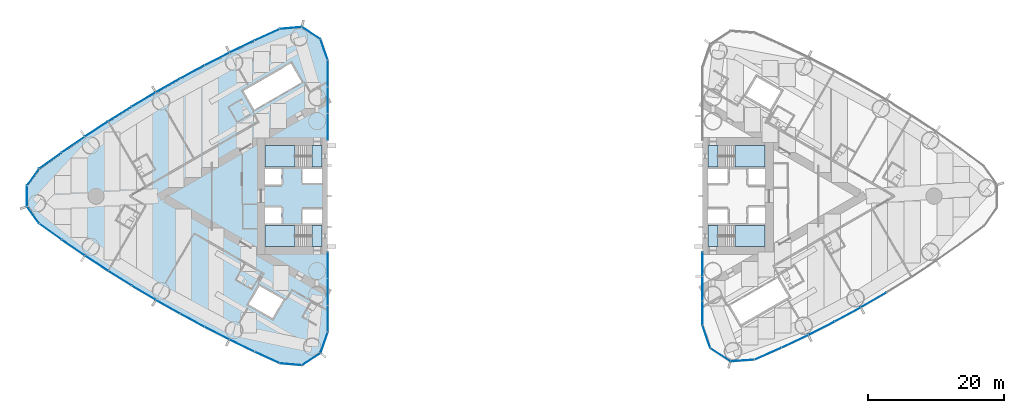
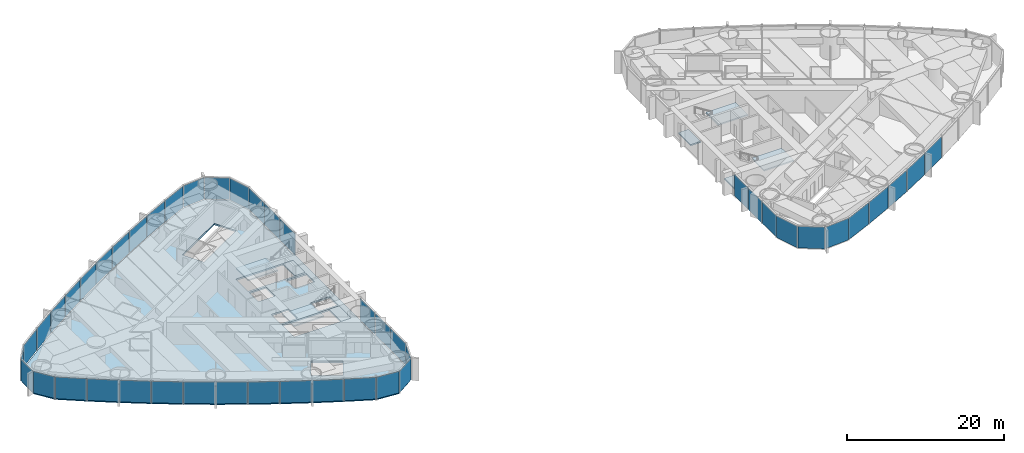
# One storey, part 9 of 19: 46 plates, 9 slabs, 6 elements without a shape of their own.
"""IFC4 building model written with IfcOpenShell, lengths in metres."""

from ifc_helpers import new_model, si_unit, direction, frame, origin, origin_2d, place, context, subcontext, project, spatial, polyline, rectangle, outline, extrude, material, layer, layer_set, type_object, element, aggregate, save


model = new_model("IFC4")

# Units and contexts
model_context = context("Model", 3, precision=1e-05, world=origin(), true_north=direction((0.0, 1.0)))
body_context = subcontext(model_context, "Body", "Model", "MODEL_VIEW")
ifc_project = project(units=[si_unit("LENGTHUNIT", "METRE"), si_unit("AREAUNIT", "SQUARE_METRE"), si_unit("VOLUMEUNIT", "CUBIC_METRE"), si_unit("PLANEANGLEUNIT", "RADIAN"), si_unit("MASSUNIT", "GRAM", prefix="KILO")], contexts=[model_context])

# Site, building, storey
site_placement = place(None, origin())
site = spatial("IfcSite", under=ifc_project, at=site_placement, CompositionType="ELEMENT")
building_placement = place(site_placement, origin())
building = spatial("IfcBuilding", under=site, at=building_placement, Name="Lancet Gate Hotel", CompositionType="ELEMENT")
storey_placement = place(building_placement, frame((0.0, 0.0, 132.60009765625)))
storey = spatial("IfcBuildingStorey", under=building, at=storey_placement, Name="L35", CompositionType="ELEMENT", Elevation=132.60009765625)

# Slab
ifc_material_1 = material(Name="Concrete C50/60", Category="concrete")
ifc_layer_1 = layer(ifc_material_1, 0.25)
ifc_layer_set_1 = layer_set([ifc_layer_1], Name="Floor slab 250")
slab_type_1 = type_object("IfcSlabType", Name="Floor slab 250", PredefinedType="FLOOR", material=ifc_layer_set_1)
slab_1_placement = place(storey_placement, frame((0.0, 0.0, -0.25)))
element("IfcSlab", 1, at=slab_1_placement, inside=storey, type_object=slab_type_1, Name="T1 L35 floor slab", PredefinedType="FLOOR", context=body_context, shape_type="SweptSolid", body=[
    extrude(outline(polyline([(-27.5, 8.60009765625), (-27.6201171875, 8.60009765625), (-27.6201171875, 19.950927734375), (-28.65966796875, 22.970947265625), (-31.320068359375, 24.69921875), (-34.5009765625, 24.421630859375), (-38.201416015625, 22.727783203125), (-41.8818359375, 20.946044921875), (-45.523193359375, 19.085693359375), (-49.12353515625, 17.147216796875), (-52.681396484375, 15.131591796875), (-56.195068359375, 13.0400390625), (-59.662841796875, 10.873291015625), (-63.0830078125, 8.63232421875), (-66.454345703125, 6.318115234375), (-69.76025390625, 3.94287109375), (-71.523193359375, 1.49755859375), (-71.523193359375, -1.49755859375), (-69.76025390625, -3.94287109375), (-66.454345703125, -6.318115234375), (-63.0830078125, -8.63232421875), (-59.662841796875, -10.873291015625), (-56.195068359375, -13.0400390625), (-52.681396484375, -15.131591796875), (-49.12353515625, -17.147216796875), (-45.523193359375, -19.085693359375), (-41.8818359375, -20.946044921875), (-38.201416015625, -22.727783203125), (-34.5009765625, -24.421630859375), (-31.320068359375, -24.69921875), (-28.65966796875, -22.970947265625), (-27.6201171875, -19.950927734375), (-27.6201171875, -8.60009765625), (-27.5, -8.60009765625), (-27.5, -8.199951171875), (-27.5, 8.199951171875), (-27.5, 8.60009765625)]), holes=[polyline([(-36.699951171875, 7.39990234375), (-36.699951171875, 4.300048828125), (-28.300048828125, 4.300048828125), (-28.300048828125, 7.39990234375), (-36.699951171875, 7.39990234375)]), polyline([(-28.300048828125, 4.0), (-31.199951171875, 4.0), (-31.199951171875, 1.89990234375), (-28.300048828125, 1.89990234375), (-28.300048828125, 4.0)]), polyline([(-34.25, 4.0), (-36.699951171875, 4.0), (-36.699951171875, 1.64990234375), (-34.25, 1.64990234375), (-34.25, 4.0)]), polyline([(-36.699951171875, -1.64990234375), (-36.699951171875, -4.0), (-34.25, -4.0), (-34.25, -1.64990234375), (-36.699951171875, -1.64990234375)]), polyline([(-28.300048828125, -1.89990234375), (-31.199951171875, -1.89990234375), (-31.199951171875, -4.0), (-28.300048828125, -4.0), (-28.300048828125, -1.89990234375)]), polyline([(-28.300048828125, -4.300048828125), (-36.699951171875, -4.300048828125), (-36.699951171875, -7.39990234375), (-28.300048828125, -7.39990234375), (-28.300048828125, -4.300048828125)]), polyline([(-31.2900390625, 16.73095703125), (-32.889892578125, 19.501953125), (-39.904052734375, 15.451904296875), (-38.303955078125, 12.680908203125), (-31.2900390625, 16.73095703125)]), polyline([(-33.97412109375, -15.180908203125), (-37.52490234375, -13.131103515625), (-39.125, -15.902099609375), (-35.573974609375, -17.951904296875), (-33.97412109375, -15.180908203125)])]), origin(), (0.0, 0.0, 1.0), 0.25),
])

# Stair, slabs
ifc_material_2 = material(Name="Exit stair 20 risers 1500")
stair_type = type_object("IfcStairType", Name="Exit stair 20 risers 1500", PredefinedType="HALF_TURN_STAIR", material=ifc_material_2)
stair_1_placement = place(storey_placement, origin())
stair_1 = element("IfcStair", 2, at=stair_1_placement, inside=storey, type_object=stair_type, Name="T1 stair 1 L35", PredefinedType="HALF_TURN_STAIR")
ifc_material_3 = material(Name="Concrete C40/50", Category="concrete")
ifc_layer_2 = layer(ifc_material_3, 0.199951171875)
ifc_layer_set_2 = layer_set([ifc_layer_2], Name="Stair landing 200")
slab_type_2 = type_object("IfcSlabType", Name="Stair landing 200", PredefinedType="LANDING", material=ifc_layer_set_2)
slab_2_placement = place(storey_placement, frame((0.0, 0.0, -0.2001953125)))
slab_2 = element("IfcSlab", 3, at=slab_2_placement, type_object=slab_type_2, Name="ST1 landing 1", PredefinedType="LANDING", context=body_context, shape_type="SweptSolid", body=[
    extrude(outline(polyline([(-28.300048828125, 7.39990234375), (-29.800048828125, 7.39990234375), (-29.800048828125, 4.300048828125), (-28.300048828125, 4.300048828125), (-28.300048828125, 7.39990234375)])), origin(), (0.0, 0.0, 1.0), 0.2001953125),
])
slab_3_placement = place(storey_placement, frame((0.0, 0.0, 1.5498046875)))
slab_3 = element("IfcSlab", 4, at=slab_3_placement, type_object=slab_type_2, Name="ST1 landing 2", PredefinedType="LANDING", context=body_context, shape_type="SweptSolid", body=[
    extrude(outline(polyline([(-32.320068359375, 7.39990234375), (-36.699951171875, 7.39990234375), (-36.699951171875, 4.300048828125), (-32.320068359375, 4.300048828125), (-32.320068359375, 7.39990234375)])), origin(), (0.0, 0.0, 1.0), 0.2001953125),
])
aggregate(stair_1, [slab_2, slab_3])

stair_2_placement = place(storey_placement, origin())
stair_2 = element("IfcStair", 5, at=stair_2_placement, inside=storey, type_object=stair_type, Name="T1 stair 2 L35", PredefinedType="HALF_TURN_STAIR")
slab_4_placement = place(storey_placement, frame((0.0, 0.0, -0.2001953125)))
slab_4 = element("IfcSlab", 6, at=slab_4_placement, type_object=slab_type_2, Name="ST2 landing 1", PredefinedType="LANDING", context=body_context, shape_type="SweptSolid", body=[
    extrude(outline(polyline([(-28.300048828125, -4.300048828125), (-29.800048828125, -4.300048828125), (-29.800048828125, -7.39990234375), (-28.300048828125, -7.39990234375), (-28.300048828125, -4.300048828125)])), origin(), (0.0, 0.0, 1.0), 0.2001953125),
])
slab_5_placement = place(storey_placement, frame((0.0, 0.0, 1.5498046875)))
slab_5 = element("IfcSlab", 7, at=slab_5_placement, type_object=slab_type_2, Name="ST2 landing 2", PredefinedType="LANDING", context=body_context, shape_type="SweptSolid", body=[
    extrude(outline(polyline([(-32.320068359375, -4.300048828125), (-36.699951171875, -4.300048828125), (-36.699951171875, -7.39990234375), (-32.320068359375, -7.39990234375), (-32.320068359375, -4.300048828125)])), origin(), (0.0, 0.0, 1.0), 0.2001953125),
])
aggregate(stair_2, [slab_4, slab_5])

stair_3_placement = place(storey_placement, origin())
stair_3 = element("IfcStair", 8, at=stair_3_placement, inside=storey, type_object=stair_type, Name="T2 stair 1 L35", PredefinedType="HALF_TURN_STAIR")
slab_6_placement = place(storey_placement, frame((0.0, 0.0, -0.2001953125)))
slab_6 = element("IfcSlab", 9, at=slab_6_placement, type_object=slab_type_2, Name="ST3 landing 1", PredefinedType="LANDING", context=body_context, shape_type="SweptSolid", body=[
    extrude(outline(polyline([(28.300048828125, -7.39990234375), (29.800048828125, -7.39990234375), (29.800048828125, -4.300048828125), (28.300048828125, -4.300048828125), (28.300048828125, -7.39990234375)])), origin(), (0.0, 0.0, 1.0), 0.2001953125),
])
slab_7_placement = place(storey_placement, frame((0.0, 0.0, 1.5498046875)))
slab_7 = element("IfcSlab", 10, at=slab_7_placement, type_object=slab_type_2, Name="ST3 landing 2", PredefinedType="LANDING", context=body_context, shape_type="SweptSolid", body=[
    extrude(outline(polyline([(32.320068359375, -7.39990234375), (36.699951171875, -7.39990234375), (36.699951171875, -4.300048828125), (32.320068359375, -4.300048828125), (32.320068359375, -7.39990234375)])), origin(), (0.0, 0.0, 1.0), 0.2001953125),
])
aggregate(stair_3, [slab_6, slab_7])

stair_4_placement = place(storey_placement, origin())
stair_4 = element("IfcStair", 11, at=stair_4_placement, inside=storey, type_object=stair_type, Name="T2 stair 2 L35", PredefinedType="HALF_TURN_STAIR")
slab_8_placement = place(storey_placement, frame((0.0, 0.0, -0.2001953125)))
slab_8 = element("IfcSlab", 12, at=slab_8_placement, type_object=slab_type_2, Name="ST4 landing 1", PredefinedType="LANDING", context=body_context, shape_type="SweptSolid", body=[
    extrude(outline(polyline([(28.300048828125, 4.300048828125), (29.800048828125, 4.300048828125), (29.800048828125, 7.39990234375), (28.300048828125, 7.39990234375), (28.300048828125, 4.300048828125)])), origin(), (0.0, 0.0, 1.0), 0.2001953125),
])
slab_9_placement = place(storey_placement, frame((0.0, 0.0, 1.5498046875)))
slab_9 = element("IfcSlab", 13, at=slab_9_placement, type_object=slab_type_2, Name="ST4 landing 2", PredefinedType="LANDING", context=body_context, shape_type="SweptSolid", body=[
    extrude(outline(polyline([(32.320068359375, 4.300048828125), (36.699951171875, 4.300048828125), (36.699951171875, 7.39990234375), (32.320068359375, 7.39990234375), (32.320068359375, 4.300048828125)])), origin(), (0.0, 0.0, 1.0), 0.2001953125),
])
aggregate(stair_4, [slab_8, slab_9])

# Curtain wall, plates
ifc_material_4 = material(Name="Aluminium curtain wall", Category="aluminium")
curtain_wall_type = type_object("IfcCurtainWallType", Name="Tower unitised curtain wall", PredefinedType="USERDEFINED", material=ifc_material_4)
curtain_wall_1_placement = place(storey_placement, origin())
curtain_wall_1 = element("IfcCurtainWall", 14, at=curtain_wall_1_placement, inside=storey, type_object=curtain_wall_type, Name="T1 L35 curtain wall 1", ObjectType="UNITISED CURTAIN WALL", PredefinedType="USERDEFINED")
ifc_material_5 = material(Name="Glass double glazed unit 8-16-6", Category="glass")
ifc_layer_3 = layer(ifc_material_5, 0.030029296875)
ifc_layer_set_3 = layer_set([ifc_layer_3], Name="Vision panel double glazed")
plate_type = type_object("IfcPlateType", Name="Vision panel double glazed", PredefinedType="CURTAIN_PANEL", material=ifc_layer_set_3)
plate_1_placement = place(storey_placement, frame((-27.5, 10.161865234375, -0.000244140625), z_axis=(0.0, 0.0, 1.0), x_axis=(0.0, 1.0, 0.0)))
plate_1 = element("IfcPlate", 15, at=plate_1_placement, type_object=plate_type, Name="T1 L35 curtain wall 1 panel 1", PredefinedType="CURTAIN_PANEL", context=body_context, shape_type="SweptSolid", body=[
    extrude(rectangle(XDim=3.858642578125, YDim=0.030029296875, at=origin_2d()), origin(), (0.0, 0.0, 1.0), 3.35009765625),
])
plate_2_placement = place(storey_placement, frame((-27.5, 14.08544921875, -0.000244140625), z_axis=(0.0, 0.0, 1.0), x_axis=(0.0, 1.0, 0.0)))
plate_2 = element("IfcPlate", 16, at=plate_2_placement, type_object=plate_type, Name="T1 L35 curtain wall 1 panel 2", PredefinedType="CURTAIN_PANEL", context=body_context, shape_type="SweptSolid", body=[
    extrude(rectangle(XDim=3.858642578125, YDim=0.030029296875, at=origin_2d()), origin(), (0.0, 0.0, 1.0), 3.35009765625),
])
plate_3_placement = place(storey_placement, frame((-27.5, 18.00927734375, -0.000244140625), z_axis=(0.0, 0.0, 1.0), x_axis=(0.0, 1.0, 0.0)))
plate_3 = element("IfcPlate", 17, at=plate_3_placement, type_object=plate_type, Name="T1 L35 curtain wall 1 panel 3", PredefinedType="CURTAIN_PANEL", context=body_context, shape_type="SweptSolid", body=[
    extrude(rectangle(XDim=3.858642578125, YDim=0.030029296875, at=origin_2d()), origin(), (0.0, 0.0, 1.0), 3.35009765625),
])
plate_4_placement = place(storey_placement, frame((-28.02978515625, 21.510009765625, -0.000244140625), z_axis=(0.0, 0.0, 1.0), x_axis=(-0.325515820766, 0.945536593914, 0.0)))
plate_4 = element("IfcPlate", 18, at=plate_4_placement, type_object=plate_type, Name="T1 L35 curtain wall 1 panel 4", PredefinedType="CURTAIN_PANEL", context=body_context, shape_type="SweptSolid", body=[
    extrude(rectangle(XDim=3.190185546875, YDim=0.030029296875, at=origin_2d()), origin(), (0.0, 0.0, 1.0), 3.35009765625),
])
plate_5_placement = place(storey_placement, frame((-29.924560546875, 23.935546875, -0.000244140625), z_axis=(0.0, 0.0, 1.0), x_axis=(-0.838580121261, 0.544778285385, 0.0)))
plate_5 = element("IfcPlate", 19, at=plate_5_placement, type_object=plate_type, Name="T1 L35 curtain wall 1 panel 5", PredefinedType="CURTAIN_PANEL", context=body_context, shape_type="SweptSolid", body=[
    extrude(rectangle(XDim=3.190185546875, YDim=0.030029296875, at=origin_2d()), origin(), (0.0, 0.0, 1.0), 3.35009765625),
])
plate_6_placement = place(storey_placement, frame((-32.91064453125, 24.680908203125, -0.000244140625), z_axis=(0.0, 0.0, 1.0), x_axis=(-0.996218779711, -0.086880049207, 0.0)))
plate_6 = element("IfcPlate", 20, at=plate_6_placement, type_object=plate_type, Name="T1 L35 curtain wall 1 panel 6", PredefinedType="CURTAIN_PANEL", context=body_context, shape_type="SweptSolid", body=[
    extrude(rectangle(XDim=3.190185546875, YDim=0.030029296875, at=origin_2d()), origin(), (0.0, 0.0, 1.0), 3.35009765625),
])
plate_7_placement = place(storey_placement, frame((-36.392333984375, 23.68798828125, -0.000244140625), z_axis=(0.0, 0.0, 1.0), x_axis=(-0.909252721243, -0.416244506166, 0.0)))
plate_7 = element("IfcPlate", 21, at=plate_7_placement, type_object=plate_type, Name="T1 L35 curtain wall 1 panel 7", PredefinedType="CURTAIN_PANEL", context=body_context, shape_type="SweptSolid", body=[
    extrude(rectangle(XDim=4.026611328125, YDim=0.030029296875, at=origin_2d()), origin(), (0.0, 0.0, 1.0), 3.35009765625),
])
plate_8_placement = place(storey_placement, frame((-40.093994140625, 21.945068359375, -0.000244140625), z_axis=(0.0, 0.0, 1.0), x_axis=(-0.900081672047, -0.435721222395, 0.0)))
plate_8 = element("IfcPlate", 22, at=plate_8_placement, type_object=plate_type, Name="T1 L35 curtain wall 1 panel 8", PredefinedType="CURTAIN_PANEL", context=body_context, shape_type="SweptSolid", body=[
    extrude(rectangle(XDim=4.026611328125, YDim=0.030029296875, at=origin_2d()), origin(), (0.0, 0.0, 1.0), 3.35009765625),
])
plate_9_placement = place(storey_placement, frame((-43.757080078125, 20.122802734375, -0.000244140625), z_axis=(0.0, 0.0, 1.0), x_axis=(-0.890493479451, -0.45499600334, 0.0)))
plate_9 = element("IfcPlate", 23, at=plate_9_placement, type_object=plate_type, Name="T1 L35 curtain wall 1 panel 9", PredefinedType="CURTAIN_PANEL", context=body_context, shape_type="SweptSolid", body=[
    extrude(rectangle(XDim=4.026611328125, YDim=0.030029296875, at=origin_2d()), origin(), (0.0, 0.0, 1.0), 3.35009765625),
])
plate_10_placement = place(storey_placement, frame((-47.380126953125, 18.221923828125, -0.000244140625), z_axis=(0.0, 0.0, 1.0), x_axis=(-0.880492587094, -0.474059916121, 0.0)))
plate_10 = element("IfcPlate", 24, at=plate_10_placement, type_object=plate_type, Name="T1 L35 curtain wall 1 panel 10", PredefinedType="CURTAIN_PANEL", context=body_context, shape_type="SweptSolid", body=[
    extrude(rectangle(XDim=4.026611328125, YDim=0.030029296875, at=origin_2d()), origin(), (0.0, 0.0, 1.0), 3.35009765625),
])
plate_11_placement = place(storey_placement, frame((-50.961669921875, 16.243896484375, -0.000244140625), z_axis=(0.0, 0.0, 1.0), x_axis=(-0.870083629903, -0.49290412554, 0.0)))
plate_11 = element("IfcPlate", 25, at=plate_11_placement, type_object=plate_type, Name="T1 L35 curtain wall 1 panel 11", PredefinedType="CURTAIN_PANEL", context=body_context, shape_type="SweptSolid", body=[
    extrude(rectangle(XDim=4.026611328125, YDim=0.030029296875, at=origin_2d()), origin(), (0.0, 0.0, 1.0), 3.35009765625),
])
plate_12_placement = place(storey_placement, frame((-54.49951171875, 14.18896484375, -0.000244140625), z_axis=(0.0, 0.0, 1.0), x_axis=(-0.859271431916, -0.511519898238, 0.0)))
plate_12 = element("IfcPlate", 26, at=plate_12_placement, type_object=plate_type, Name="T1 L35 curtain wall 1 panel 12", PredefinedType="CURTAIN_PANEL", context=body_context, shape_type="SweptSolid", body=[
    extrude(rectangle(XDim=4.026611328125, YDim=0.030029296875, at=origin_2d()), origin(), (0.0, 0.0, 1.0), 3.35009765625),
])
plate_13_placement = place(storey_placement, frame((-57.992431640625, 12.058349609375, -0.000244140625), z_axis=(0.0, 0.0, 1.0), x_axis=(-0.848061004052, -0.529898606722, 0.0)))
plate_13 = element("IfcPlate", 27, at=plate_13_placement, type_object=plate_type, Name="T1 L35 curtain wall 1 panel 13", PredefinedType="CURTAIN_PANEL", context=body_context, shape_type="SweptSolid", body=[
    extrude(rectangle(XDim=4.026611328125, YDim=0.030029296875, at=origin_2d()), origin(), (0.0, 0.0, 1.0), 3.35009765625),
])
plate_14_placement = place(storey_placement, frame((-61.438720703125, 9.85302734375, -0.000244140625), z_axis=(0.0, 0.0, 1.0), x_axis=(-0.836457541791, -0.54803173337, 0.0)))
plate_14 = element("IfcPlate", 28, at=plate_14_placement, type_object=plate_type, Name="T1 L35 curtain wall 1 panel 14", PredefinedType="CURTAIN_PANEL", context=body_context, shape_type="SweptSolid", body=[
    extrude(rectangle(XDim=4.026611328125, YDim=0.030029296875, at=origin_2d()), origin(), (0.0, 0.0, 1.0), 3.35009765625),
])
plate_15_placement = place(storey_placement, frame((-64.836669921875, 7.57421875, -0.000244140625), z_axis=(0.0, 0.0, 1.0), x_axis=(-0.824466422775, -0.565910874357, 0.0)))
plate_15 = element("IfcPlate", 29, at=plate_15_placement, type_object=plate_type, Name="T1 L35 curtain wall 1 panel 15", PredefinedType="CURTAIN_PANEL", context=body_context, shape_type="SweptSolid", body=[
    extrude(rectangle(XDim=4.026611328125, YDim=0.030029296875, at=origin_2d()), origin(), (0.0, 0.0, 1.0), 3.35009765625),
])
plate_16_placement = place(storey_placement, frame((-68.184814453125, 5.22265625, -0.000244140625), z_axis=(0.0, 0.0, 1.0), x_axis=(-0.812093204276, -0.583527743615, 0.0)))
plate_16 = element("IfcPlate", 30, at=plate_16_placement, type_object=plate_type, Name="T1 L35 curtain wall 1 panel 16", PredefinedType="CURTAIN_PANEL", context=body_context, shape_type="SweptSolid", body=[
    extrude(rectangle(XDim=4.026611328125, YDim=0.030029296875, at=origin_2d()), origin(), (0.0, 0.0, 1.0), 3.35009765625),
])
plate_17_placement = place(storey_placement, frame((-70.74462890625, 2.782470703125, -0.000244140625), z_axis=(0.0, 0.0, 1.0), x_axis=(-0.584808645706, -0.811171281486, 0.0)))
plate_17 = element("IfcPlate", 31, at=plate_17_placement, type_object=plate_type, Name="T1 L35 curtain wall 1 panel 17", PredefinedType="CURTAIN_PANEL", context=body_context, shape_type="SweptSolid", body=[
    extrude(rectangle(XDim=3.0078125, YDim=0.030029296875, at=origin_2d()), origin(), (0.0, 0.0, 1.0), 3.35009765625),
])
plate_18_placement = place(storey_placement, frame((-71.64306640625, 0.0, -0.000244140625), z_axis=(0.0, 0.0, 1.0), x_axis=(0.0, -1.0, 0.0)))
plate_18 = element("IfcPlate", 32, at=plate_18_placement, type_object=plate_type, Name="T1 L35 curtain wall 1 panel 18", PredefinedType="CURTAIN_PANEL", context=body_context, shape_type="SweptSolid", body=[
    extrude(rectangle(XDim=3.0078125, YDim=0.030029296875, at=origin_2d()), origin(), (0.0, 0.0, 1.0), 3.35009765625),
])
plate_19_placement = place(storey_placement, frame((-70.74462890625, -2.782470703125, -0.000244140625), z_axis=(0.0, 0.0, 1.0), x_axis=(0.584808645706, -0.811171281486, 0.0)))
plate_19 = element("IfcPlate", 33, at=plate_19_placement, type_object=plate_type, Name="T1 L35 curtain wall 1 panel 19", PredefinedType="CURTAIN_PANEL", context=body_context, shape_type="SweptSolid", body=[
    extrude(rectangle(XDim=3.0078125, YDim=0.030029296875, at=origin_2d()), origin(), (0.0, 0.0, 1.0), 3.35009765625),
])
plate_20_placement = place(storey_placement, frame((-68.184814453125, -5.22265625, -0.000244140625), z_axis=(0.0, 0.0, 1.0), x_axis=(0.812093204276, -0.583527743615, 0.0)))
plate_20 = element("IfcPlate", 34, at=plate_20_placement, type_object=plate_type, Name="T1 L35 curtain wall 1 panel 20", PredefinedType="CURTAIN_PANEL", context=body_context, shape_type="SweptSolid", body=[
    extrude(rectangle(XDim=4.026611328125, YDim=0.030029296875, at=origin_2d()), origin(), (0.0, 0.0, 1.0), 3.35009765625),
])
plate_21_placement = place(storey_placement, frame((-64.836669921875, -7.57421875, -0.000244140625), z_axis=(0.0, 0.0, 1.0), x_axis=(0.824466422775, -0.565910874357, 0.0)))
plate_21 = element("IfcPlate", 35, at=plate_21_placement, type_object=plate_type, Name="T1 L35 curtain wall 1 panel 21", PredefinedType="CURTAIN_PANEL", context=body_context, shape_type="SweptSolid", body=[
    extrude(rectangle(XDim=4.026611328125, YDim=0.030029296875, at=origin_2d()), origin(), (0.0, 0.0, 1.0), 3.35009765625),
])
plate_22_placement = place(storey_placement, frame((-61.438720703125, -9.85302734375, -0.000244140625), z_axis=(0.0, 0.0, 1.0), x_axis=(0.836457541791, -0.54803173337, 0.0)))
plate_22 = element("IfcPlate", 36, at=plate_22_placement, type_object=plate_type, Name="T1 L35 curtain wall 1 panel 22", PredefinedType="CURTAIN_PANEL", context=body_context, shape_type="SweptSolid", body=[
    extrude(rectangle(XDim=4.026611328125, YDim=0.030029296875, at=origin_2d()), origin(), (0.0, 0.0, 1.0), 3.35009765625),
])
plate_23_placement = place(storey_placement, frame((-57.992431640625, -12.058349609375, -0.000244140625), z_axis=(0.0, 0.0, 1.0), x_axis=(0.848061004052, -0.529898606722, 0.0)))
plate_23 = element("IfcPlate", 37, at=plate_23_placement, type_object=plate_type, Name="T1 L35 curtain wall 1 panel 23", PredefinedType="CURTAIN_PANEL", context=body_context, shape_type="SweptSolid", body=[
    extrude(rectangle(XDim=4.026611328125, YDim=0.030029296875, at=origin_2d()), origin(), (0.0, 0.0, 1.0), 3.35009765625),
])
plate_24_placement = place(storey_placement, frame((-54.49951171875, -14.18896484375, -0.000244140625), z_axis=(0.0, 0.0, 1.0), x_axis=(0.859271431916, -0.511519898238, 0.0)))
plate_24 = element("IfcPlate", 38, at=plate_24_placement, type_object=plate_type, Name="T1 L35 curtain wall 1 panel 24", PredefinedType="CURTAIN_PANEL", context=body_context, shape_type="SweptSolid", body=[
    extrude(rectangle(XDim=4.026611328125, YDim=0.030029296875, at=origin_2d()), origin(), (0.0, 0.0, 1.0), 3.35009765625),
])
plate_25_placement = place(storey_placement, frame((-50.961669921875, -16.243896484375, -0.000244140625), z_axis=(0.0, 0.0, 1.0), x_axis=(0.870083629903, -0.49290412554, 0.0)))
plate_25 = element("IfcPlate", 39, at=plate_25_placement, type_object=plate_type, Name="T1 L35 curtain wall 1 panel 25", PredefinedType="CURTAIN_PANEL", context=body_context, shape_type="SweptSolid", body=[
    extrude(rectangle(XDim=4.026611328125, YDim=0.030029296875, at=origin_2d()), origin(), (0.0, 0.0, 1.0), 3.35009765625),
])
plate_26_placement = place(storey_placement, frame((-47.380126953125, -18.221923828125, -0.000244140625), z_axis=(0.0, 0.0, 1.0), x_axis=(0.880492587094, -0.474059916121, 0.0)))
plate_26 = element("IfcPlate", 40, at=plate_26_placement, type_object=plate_type, Name="T1 L35 curtain wall 1 panel 26", PredefinedType="CURTAIN_PANEL", context=body_context, shape_type="SweptSolid", body=[
    extrude(rectangle(XDim=4.026611328125, YDim=0.030029296875, at=origin_2d()), origin(), (0.0, 0.0, 1.0), 3.35009765625),
])
plate_27_placement = place(storey_placement, frame((-43.757080078125, -20.122802734375, -0.000244140625), z_axis=(0.0, 0.0, 1.0), x_axis=(0.890493479451, -0.45499600334, 0.0)))
plate_27 = element("IfcPlate", 41, at=plate_27_placement, type_object=plate_type, Name="T1 L35 curtain wall 1 panel 27", PredefinedType="CURTAIN_PANEL", context=body_context, shape_type="SweptSolid", body=[
    extrude(rectangle(XDim=4.026611328125, YDim=0.030029296875, at=origin_2d()), origin(), (0.0, 0.0, 1.0), 3.35009765625),
])
plate_28_placement = place(storey_placement, frame((-40.093994140625, -21.945068359375, -0.000244140625), z_axis=(0.0, 0.0, 1.0), x_axis=(0.900081672047, -0.435721222395, 0.0)))
plate_28 = element("IfcPlate", 42, at=plate_28_placement, type_object=plate_type, Name="T1 L35 curtain wall 1 panel 28", PredefinedType="CURTAIN_PANEL", context=body_context, shape_type="SweptSolid", body=[
    extrude(rectangle(XDim=4.026611328125, YDim=0.030029296875, at=origin_2d()), origin(), (0.0, 0.0, 1.0), 3.35009765625),
])
plate_29_placement = place(storey_placement, frame((-36.392333984375, -23.68798828125, -0.000244140625), z_axis=(0.0, 0.0, 1.0), x_axis=(0.909252721243, -0.416244506166, 0.0)))
plate_29 = element("IfcPlate", 43, at=plate_29_placement, type_object=plate_type, Name="T1 L35 curtain wall 1 panel 29", PredefinedType="CURTAIN_PANEL", context=body_context, shape_type="SweptSolid", body=[
    extrude(rectangle(XDim=4.026611328125, YDim=0.030029296875, at=origin_2d()), origin(), (0.0, 0.0, 1.0), 3.35009765625),
])
plate_30_placement = place(storey_placement, frame((-32.91064453125, -24.680908203125, -0.000244140625), z_axis=(0.0, 0.0, 1.0), x_axis=(0.996218779711, -0.086880049207, 0.0)))
plate_30 = element("IfcPlate", 44, at=plate_30_placement, type_object=plate_type, Name="T1 L35 curtain wall 1 panel 30", PredefinedType="CURTAIN_PANEL", context=body_context, shape_type="SweptSolid", body=[
    extrude(rectangle(XDim=3.190185546875, YDim=0.030029296875, at=origin_2d()), origin(), (0.0, 0.0, 1.0), 3.35009765625),
])
plate_31_placement = place(storey_placement, frame((-29.924560546875, -23.935546875, -0.000244140625), z_axis=(0.0, 0.0, 1.0), x_axis=(0.838580121261, 0.544778285385, 0.0)))
plate_31 = element("IfcPlate", 45, at=plate_31_placement, type_object=plate_type, Name="T1 L35 curtain wall 1 panel 31", PredefinedType="CURTAIN_PANEL", context=body_context, shape_type="SweptSolid", body=[
    extrude(rectangle(XDim=3.190185546875, YDim=0.030029296875, at=origin_2d()), origin(), (0.0, 0.0, 1.0), 3.35009765625),
])
plate_32_placement = place(storey_placement, frame((-28.02978515625, -21.510009765625, -0.000244140625), z_axis=(0.0, 0.0, 1.0), x_axis=(0.325515820766, 0.945536593914, 0.0)))
plate_32 = element("IfcPlate", 46, at=plate_32_placement, type_object=plate_type, Name="T1 L35 curtain wall 1 panel 32", PredefinedType="CURTAIN_PANEL", context=body_context, shape_type="SweptSolid", body=[
    extrude(rectangle(XDim=3.190185546875, YDim=0.030029296875, at=origin_2d()), origin(), (0.0, 0.0, 1.0), 3.35009765625),
])
plate_33_placement = place(storey_placement, frame((-27.5, -18.00927734375, -0.000244140625), z_axis=(0.0, 0.0, 1.0), x_axis=(0.0, 1.0, 0.0)))
plate_33 = element("IfcPlate", 47, at=plate_33_placement, type_object=plate_type, Name="T1 L35 curtain wall 1 panel 33", PredefinedType="CURTAIN_PANEL", context=body_context, shape_type="SweptSolid", body=[
    extrude(rectangle(XDim=3.858642578125, YDim=0.030029296875, at=origin_2d()), origin(), (0.0, 0.0, 1.0), 3.35009765625),
])
plate_34_placement = place(storey_placement, frame((-27.5, -14.08544921875, -0.000244140625), z_axis=(0.0, 0.0, 1.0), x_axis=(0.0, 1.0, 0.0)))
plate_34 = element("IfcPlate", 48, at=plate_34_placement, type_object=plate_type, Name="T1 L35 curtain wall 1 panel 34", PredefinedType="CURTAIN_PANEL", context=body_context, shape_type="SweptSolid", body=[
    extrude(rectangle(XDim=3.858642578125, YDim=0.030029296875, at=origin_2d()), origin(), (0.0, 0.0, 1.0), 3.35009765625),
])
plate_35_placement = place(storey_placement, frame((-27.5, -10.161865234375, -0.000244140625), z_axis=(0.0, 0.0, 1.0), x_axis=(0.0, 1.0, 0.0)))
plate_35 = element("IfcPlate", 49, at=plate_35_placement, type_object=plate_type, Name="T1 L35 curtain wall 1 panel 35", PredefinedType="CURTAIN_PANEL", context=body_context, shape_type="SweptSolid", body=[
    extrude(rectangle(XDim=3.858642578125, YDim=0.030029296875, at=origin_2d()), origin(), (0.0, 0.0, 1.0), 3.35009765625),
])
aggregate(curtain_wall_1, [plate_1, plate_2, plate_3, plate_4, plate_5, plate_6, plate_7, plate_8, plate_9, plate_10, plate_11, plate_12, plate_13, plate_14, plate_15, plate_16, plate_17, plate_18, plate_19, plate_20, plate_21, plate_22, plate_23, plate_24, plate_25, plate_26, plate_27, plate_28, plate_29, plate_30, plate_31, plate_32, plate_33, plate_34, plate_35])

curtain_wall_2_placement = place(storey_placement, origin())
curtain_wall_2 = element("IfcCurtainWall", 50, at=curtain_wall_2_placement, inside=storey, type_object=curtain_wall_type, Name="T2 L35 curtain wall 1", ObjectType="UNITISED CURTAIN WALL", PredefinedType="USERDEFINED")
plate_36_placement = place(storey_placement, frame((27.5, -9.990478515625, -0.000244140625), z_axis=(0.0, 0.0, 1.0), x_axis=(0.0, -1.0, 0.0)))
plate_36 = element("IfcPlate", 51, at=plate_36_placement, type_object=plate_type, Name="T2 L35 curtain wall 1 panel 1", PredefinedType="CURTAIN_PANEL", context=body_context, shape_type="SweptSolid", body=[
    extrude(rectangle(XDim=3.515869140625, YDim=0.030029296875, at=origin_2d()), origin(), (0.0, 0.0, 1.0), 3.35009765625),
])
plate_37_placement = place(storey_placement, frame((27.5, -13.571533203125, -0.000244140625), z_axis=(0.0, 0.0, 1.0), x_axis=(0.0, -1.0, 0.0)))
plate_37 = element("IfcPlate", 52, at=plate_37_placement, type_object=plate_type, Name="T2 L35 curtain wall 1 panel 2", PredefinedType="CURTAIN_PANEL", context=body_context, shape_type="SweptSolid", body=[
    extrude(rectangle(XDim=3.515869140625, YDim=0.030029296875, at=origin_2d()), origin(), (0.0, 0.0, 1.0), 3.35009765625),
])
plate_38_placement = place(storey_placement, frame((27.5, -17.15234375, -0.000244140625), z_axis=(0.0, 0.0, 1.0), x_axis=(0.0, -1.0, 0.0)))
plate_38 = element("IfcPlate", 53, at=plate_38_placement, type_object=plate_type, Name="T2 L35 curtain wall 1 panel 3", PredefinedType="CURTAIN_PANEL", context=body_context, shape_type="SweptSolid", body=[
    extrude(rectangle(XDim=3.515869140625, YDim=0.030029296875, at=origin_2d()), origin(), (0.0, 0.0, 1.0), 3.35009765625),
])
plate_39_placement = place(storey_placement, frame((28.072265625, -20.622314453125, -0.000244140625), z_axis=(0.0, 0.0, 1.0), x_axis=(0.32257568891, -0.946543673015, 0.0)))
plate_39 = element("IfcPlate", 54, at=plate_39_placement, type_object=plate_type, Name="T2 L35 curtain wall 1 panel 4", PredefinedType="CURTAIN_PANEL", context=body_context, shape_type="SweptSolid", body=[
    extrude(rectangle(XDim=3.4833984375, YDim=0.030029296875, at=origin_2d()), origin(), (0.0, 0.0, 1.0), 3.35009765625),
])
plate_40_placement = place(storey_placement, frame((30.123291015625, -23.281982421875, -0.000244140625), z_axis=(0.0, 0.0, 1.0), x_axis=(0.833464516611, -0.552572981198, 0.0)))
plate_40 = element("IfcPlate", 55, at=plate_40_placement, type_object=plate_type, Name="T2 L35 curtain wall 1 panel 5", PredefinedType="CURTAIN_PANEL", context=body_context, shape_type="SweptSolid", body=[
    extrude(rectangle(XDim=3.4833984375, YDim=0.030029296875, at=origin_2d()), origin(), (0.0, 0.0, 1.0), 3.35009765625),
])
plate_41_placement = place(storey_placement, frame((33.37158203125, -24.1357421875, -0.000244140625), z_axis=(0.0, 0.0, 1.0), x_axis=(0.997448492935, 0.07138980278, 0.0)))
plate_41 = element("IfcPlate", 56, at=plate_41_placement, type_object=plate_type, Name="T2 L35 curtain wall 1 panel 6", PredefinedType="CURTAIN_PANEL", context=body_context, shape_type="SweptSolid", body=[
    extrude(rectangle(XDim=3.4833984375, YDim=0.030029296875, at=origin_2d()), origin(), (0.0, 0.0, 1.0), 3.35009765625),
])
plate_42_placement = place(storey_placement, frame((37.13134765625, -23.13427734375, -0.000244140625), z_axis=(0.0, 0.0, 1.0), x_axis=(0.915478658759, 0.40236653111, 0.0)))
plate_42 = element("IfcPlate", 57, at=plate_42_placement, type_object=plate_type, Name="T2 L35 curtain wall 1 panel 7", PredefinedType="CURTAIN_PANEL", context=body_context, shape_type="SweptSolid", body=[
    extrude(rectangle(XDim=4.2822265625, YDim=0.030029296875, at=origin_2d()), origin(), (0.0, 0.0, 1.0), 3.35009765625),
])
plate_43_placement = place(storey_placement, frame((41.08544921875, -21.3291015625, -0.000244140625), z_axis=(0.0, 0.0, 1.0), x_axis=(0.903683440096, 0.428201167789, 0.0)))
plate_43 = element("IfcPlate", 58, at=plate_43_placement, type_object=plate_type, Name="T2 L35 curtain wall 1 panel 8", PredefinedType="CURTAIN_PANEL", context=body_context, shape_type="SweptSolid", body=[
    extrude(rectangle(XDim=4.2822265625, YDim=0.030029296875, at=origin_2d()), origin(), (0.0, 0.0, 1.0), 3.35009765625),
])
plate_44_placement = place(storey_placement, frame((44.98681640625, -19.412109375, -0.000244140625), z_axis=(0.0, 0.0, 1.0), x_axis=(0.891159350462, 0.453690436403, 0.0)))
plate_44 = element("IfcPlate", 59, at=plate_44_placement, type_object=plate_type, Name="T2 L35 curtain wall 1 panel 9", PredefinedType="CURTAIN_PANEL", context=body_context, shape_type="SweptSolid", body=[
    extrude(rectangle(XDim=4.2822265625, YDim=0.030029296875, at=origin_2d()), origin(), (0.0, 0.0, 1.0), 3.35009765625),
])
plate_45_placement = place(storey_placement, frame((48.832275390625, -17.38525390625, -0.000244140625), z_axis=(0.0, 0.0, 1.0), x_axis=(0.877916491224, 0.478813778454, 0.0)))
plate_45 = element("IfcPlate", 60, at=plate_45_placement, type_object=plate_type, Name="T2 L35 curtain wall 1 panel 10", PredefinedType="CURTAIN_PANEL", context=body_context, shape_type="SweptSolid", body=[
    extrude(rectangle(XDim=4.2822265625, YDim=0.030029296875, at=origin_2d()), origin(), (0.0, 0.0, 1.0), 3.35009765625),
])
plate_46_placement = place(storey_placement, frame((52.618408203125, -15.249755859375, -0.000244140625), z_axis=(0.0, 0.0, 1.0), x_axis=(0.863965543499, 0.503550930538, 0.0)))
plate_46 = element("IfcPlate", 61, at=plate_46_placement, type_object=plate_type, Name="T2 L35 curtain wall 1 panel 11", PredefinedType="CURTAIN_PANEL", context=body_context, shape_type="SweptSolid", body=[
    extrude(rectangle(XDim=4.2822265625, YDim=0.030029296875, at=origin_2d()), origin(), (0.0, 0.0, 1.0), 3.35009765625),
])
aggregate(curtain_wall_2, [plate_36, plate_37, plate_38, plate_39, plate_40, plate_41, plate_42, plate_43, plate_44, plate_45, plate_46])

save(model, "model.ifc")
